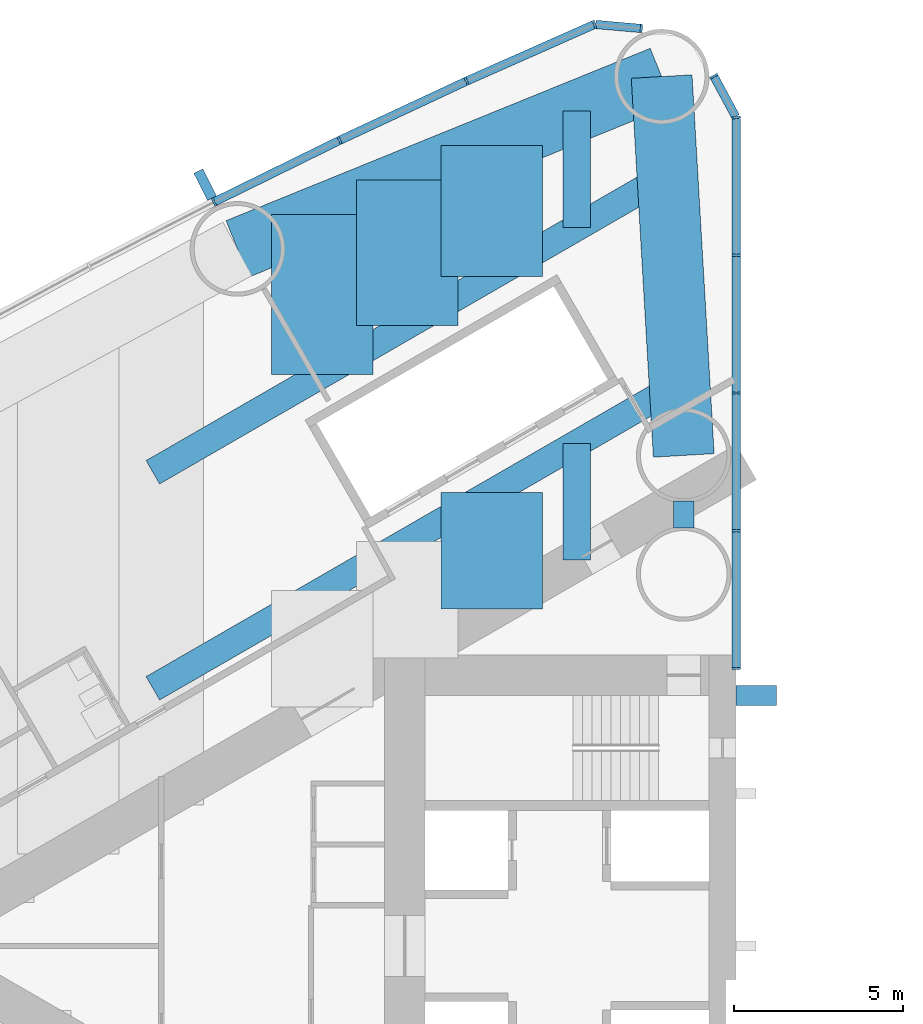
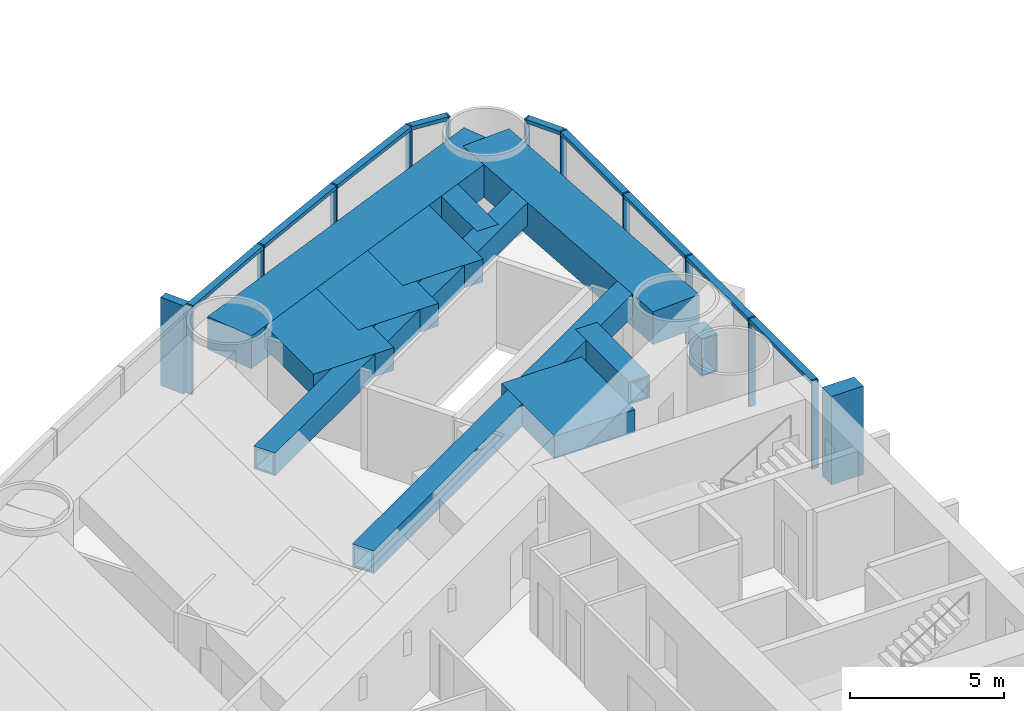
# One storey, part 5 of 19: 22 members, 11 beams, 2 elements without a shape of their own.
"""IFC4 building model written with IfcOpenShell, lengths in metres."""

from ifc_helpers import new_model, si_unit, direction, frame, origin, origin_2d, place, context, subcontext, project, spatial, rectangle, hollow_rectangle, extrude, material, material_profile, profile_set, type_object, element, aggregate, save


model = new_model("IFC4")

# Units and contexts
model_context = context("Model", 3, precision=1e-05, world=origin(), true_north=direction((0.0, 1.0)))
body_context = subcontext(model_context, "Body", "Model", "MODEL_VIEW")
ifc_project = project(units=[si_unit("LENGTHUNIT", "METRE"), si_unit("AREAUNIT", "SQUARE_METRE"), si_unit("VOLUMEUNIT", "CUBIC_METRE"), si_unit("PLANEANGLEUNIT", "RADIAN"), si_unit("MASSUNIT", "GRAM", prefix="KILO")], contexts=[model_context])

# Site, building, storey
site_placement = place(None, origin())
site = spatial("IfcSite", under=ifc_project, at=site_placement, CompositionType="ELEMENT")
building_placement = place(site_placement, origin())
building = spatial("IfcBuilding", under=site, at=building_placement, Name="Lancet Gate Hotel", CompositionType="ELEMENT")
storey_placement = place(building_placement, frame((0.0, 0.0, 18.0)))
storey = spatial("IfcBuildingStorey", under=building, at=storey_placement, Name="L03", CompositionType="ELEMENT", Elevation=18.0)

# Curtain wall, members
ifc_material_1 = material(Name="Aluminium curtain wall", Category="aluminium")
curtain_wall_type = type_object("IfcCurtainWallType", Name="Tower unitised curtain wall", PredefinedType="USERDEFINED", material=ifc_material_1)
curtain_wall_1_placement = place(storey_placement, origin())
curtain_wall_1 = element("IfcCurtainWall", 1, at=curtain_wall_1_placement, inside=storey, type_object=curtain_wall_type, Name="T1 L03 curtain wall 1", ObjectType="UNITISED CURTAIN WALL", PredefinedType="USERDEFINED")
ifc_material_2 = material(Name="Aluminium mullion", Category="aluminium")
ifc_material_profile_1 = material_profile(ifc_material_2, rectangle(XDim=0.06494140625, YDim=0.25, at=origin_2d()), Name="MULLION 65x250")
ifc_profile_set_1 = profile_set([ifc_material_profile_1], Name="Aluminium mullion")
member_type_1 = type_object("IfcMemberType", Name="Aluminium mullion 65x250", PredefinedType="MULLION", material=ifc_profile_set_1)
member_1_placement = place(storey_placement, frame((-27.5, 8.199951171875, 0.0), z_axis=(0.0, 0.0, 1.0), x_axis=(0.0, 1.0, 0.0)))
member_1 = element("IfcMember", 2, at=member_1_placement, type_object=member_type_1, Name="T1 L03 curtain wall 1 mullion 1", PredefinedType="MULLION", context=body_context, shape_type="SweptSolid", body=[
    extrude(rectangle(XDim=0.06494140625, YDim=0.25, at=origin_2d()), origin(), (0.0, 0.0, 1.0), 3.5),
])
member_2_placement = place(storey_placement, frame((-27.5, 12.272705078125, 0.0), z_axis=(0.0, 0.0, 1.0), x_axis=(0.0, 1.0, 0.0)))
member_2 = element("IfcMember", 3, at=member_2_placement, type_object=member_type_1, Name="T1 L03 curtain wall 1 mullion 2", PredefinedType="MULLION", context=body_context, shape_type="SweptSolid", body=[
    extrude(rectangle(XDim=0.06494140625, YDim=0.25, at=origin_2d()), origin(), (0.0, 0.0, 1.0), 3.5),
])
member_3_placement = place(storey_placement, frame((-27.5, 16.345703125, 0.0), z_axis=(0.0, 0.0, 1.0), x_axis=(0.0, 1.0, 0.0)))
member_3 = element("IfcMember", 4, at=member_3_placement, type_object=member_type_1, Name="T1 L03 curtain wall 1 mullion 3", PredefinedType="MULLION", context=body_context, shape_type="SweptSolid", body=[
    extrude(rectangle(XDim=0.06494140625, YDim=0.25, at=origin_2d()), origin(), (0.0, 0.0, 1.0), 3.5),
])
member_4_placement = place(storey_placement, frame((-27.5, 20.41845703125, 0.0), z_axis=(0.0, 0.0, 1.0), x_axis=(0.0, 1.0, 0.0)))
member_4 = element("IfcMember", 5, at=member_4_placement, type_object=member_type_1, Name="T1 L03 curtain wall 1 mullion 4", PredefinedType="MULLION", context=body_context, shape_type="SweptSolid", body=[
    extrude(rectangle(XDim=0.06494140625, YDim=0.25, at=origin_2d()), origin(), (0.0, 0.0, 1.0), 3.5),
])
member_5_placement = place(storey_placement, frame((-27.5, 24.4912109375, 0.0), z_axis=(0.0, 0.0, 1.0), x_axis=(-0.123482502544, 0.992346749662, 0.0)))
member_5 = element("IfcMember", 6, at=member_5_placement, type_object=member_type_1, Name="T1 L03 curtain wall 1 mullion 5", PredefinedType="MULLION", context=body_context, shape_type="SweptSolid", body=[
    extrude(rectangle(XDim=0.06494140625, YDim=0.25, at=origin_2d()), origin(), (0.0, 0.0, 1.0), 3.5),
])
member_6_placement = place(storey_placement, frame((-28.158935546875, 25.712890625, 0.0), z_axis=(0.0, 0.0, 1.0), x_axis=(-0.474631040972, 0.880184852714, 0.0)))
member_6 = element("IfcMember", 7, at=member_6_placement, type_object=member_type_1, Name="T1 L03 curtain wall 1 mullion 6", PredefinedType="MULLION", context=body_context, shape_type="SweptSolid", body=[
    extrude(rectangle(XDim=0.06494140625, YDim=0.25, at=origin_2d()), origin(), (0.0, 0.0, 1.0), 3.5),
])

curtain_wall_2_placement = place(storey_placement, origin())
curtain_wall_2 = element("IfcCurtainWall", 8, at=curtain_wall_2_placement, inside=storey, type_object=curtain_wall_type, Name="T1 L03 curtain wall 2", ObjectType="UNITISED CURTAIN WALL", PredefinedType="USERDEFINED")
member_7_placement = place(storey_placement, frame((-30.3046875, 27.124755859375, 0.0), z_axis=(0.0, 0.0, 1.0), x_axis=(-0.99620380374, 0.087051602022, 0.0)))
member_7 = element("IfcMember", 9, at=member_7_placement, type_object=member_type_1, Name="T1 L03 curtain wall 2 mullion 1", PredefinedType="MULLION", context=body_context, shape_type="SweptSolid", body=[
    extrude(rectangle(XDim=0.06494140625, YDim=0.25, at=origin_2d()), origin(), (0.0, 0.0, 1.0), 3.5),
])
member_8_placement = place(storey_placement, frame((-31.688720703125, 27.24560546875, 0.0), z_axis=(0.0, 0.0, 1.0), x_axis=(-0.957524354695, -0.288352406209, 0.0)))
member_8 = element("IfcMember", 10, at=member_8_placement, type_object=member_type_1, Name="T1 L03 curtain wall 2 mullion 2", PredefinedType="MULLION", context=body_context, shape_type="SweptSolid", body=[
    extrude(rectangle(XDim=0.06494140625, YDim=0.25, at=origin_2d()), origin(), (0.0, 0.0, 1.0), 3.5),
])
member_9_placement = place(storey_placement, frame((-35.473876953125, 25.568115234375, 0.0), z_axis=(0.0, 0.0, 1.0), x_axis=(-0.910219680212, -0.414125746308, 0.0)))
member_9 = element("IfcMember", 11, at=member_9_placement, type_object=member_type_1, Name="T1 L03 curtain wall 2 mullion 3", PredefinedType="MULLION", context=body_context, shape_type="SweptSolid", body=[
    extrude(rectangle(XDim=0.06494140625, YDim=0.25, at=origin_2d()), origin(), (0.0, 0.0, 1.0), 3.5),
])
member_10_placement = place(storey_placement, frame((-39.225341796875, 23.816650390625, 0.0), z_axis=(0.0, 0.0, 1.0), x_axis=(-0.901928838337, -0.431884672772, 0.0)))
member_10 = element("IfcMember", 12, at=member_10_placement, type_object=member_type_1, Name="T1 L03 curtain wall 2 mullion 4", PredefinedType="MULLION", context=body_context, shape_type="SweptSolid", body=[
    extrude(rectangle(XDim=0.06494140625, YDim=0.25, at=origin_2d()), origin(), (0.0, 0.0, 1.0), 3.5),
])
member_11_placement = place(storey_placement, frame((-42.94189453125, 21.991943359375, 0.0), z_axis=(0.0, 0.0, 1.0), x_axis=(-0.893291549794, -0.449477704748, 0.0)))
member_11 = element("IfcMember", 13, at=member_11_placement, type_object=member_type_1, Name="T1 L03 curtain wall 2 mullion 5", PredefinedType="MULLION", context=body_context, shape_type="SweptSolid", body=[
    extrude(rectangle(XDim=0.06494140625, YDim=0.25, at=origin_2d()), origin(), (0.0, 0.0, 1.0), 3.5),
])

# Member
ifc_material_3 = material(Name="Aluminium transom", Category="aluminium")
ifc_material_profile_2 = material_profile(ifc_material_3, rectangle(XDim=0.25, YDim=0.14990234375, at=origin_2d()), Name="TRANSOM 250x150")
ifc_profile_set_2 = profile_set([ifc_material_profile_2], Name="Aluminium transom")
member_type_2 = type_object("IfcMemberType", Name="Aluminium transom 250x150", PredefinedType="USERDEFINED", material=ifc_profile_set_2)
member_12_placement = place(storey_placement, frame((-27.5, 8.232421875, 3.425048828125), z_axis=(0.0, 1.0, 0.0), x_axis=(-1.0, 0.0, 0.0)))
member_12 = element("IfcMember", 14, at=member_12_placement, type_object=member_type_2, Name="T1 L03 curtain wall 1 transom 1", ObjectType="TRANSOM", PredefinedType="USERDEFINED", context=body_context, shape_type="SweptSolid", body=[
    extrude(rectangle(XDim=0.25, YDim=0.14990234375, at=origin_2d()), origin(), (0.0, 0.0, 1.0), 4.0078125),
])

member_13_placement = place(storey_placement, frame((-27.5, 12.30517578125, 3.425048828125), z_axis=(0.0, 1.0, 0.0), x_axis=(-1.0, 0.0, 0.0)))
member_13 = element("IfcMember", 15, at=member_13_placement, type_object=member_type_2, Name="T1 L03 curtain wall 1 transom 2", ObjectType="TRANSOM", PredefinedType="USERDEFINED", context=body_context, shape_type="SweptSolid", body=[
    extrude(rectangle(XDim=0.25, YDim=0.14990234375, at=origin_2d()), origin(), (0.0, 0.0, 1.0), 4.0078125),
])

member_14_placement = place(storey_placement, frame((-27.5, 16.378173828125, 3.425048828125), z_axis=(0.0, 1.0, 0.0), x_axis=(-1.0, 0.0, 0.0)))
member_14 = element("IfcMember", 16, at=member_14_placement, type_object=member_type_2, Name="T1 L03 curtain wall 1 transom 3", ObjectType="TRANSOM", PredefinedType="USERDEFINED", context=body_context, shape_type="SweptSolid", body=[
    extrude(rectangle(XDim=0.25, YDim=0.14990234375, at=origin_2d()), origin(), (0.0, 0.0, 1.0), 4.0078125),
])

member_15_placement = place(storey_placement, frame((-27.5, 20.450927734375, 3.425048828125), z_axis=(0.0, 1.0, 0.0), x_axis=(-1.0, 0.0, 0.0)))
member_15 = element("IfcMember", 17, at=member_15_placement, type_object=member_type_2, Name="T1 L03 curtain wall 1 transom 4", ObjectType="TRANSOM", PredefinedType="USERDEFINED", context=body_context, shape_type="SweptSolid", body=[
    extrude(rectangle(XDim=0.25, YDim=0.14990234375, at=origin_2d()), origin(), (0.0, 0.0, 1.0), 4.0078125),
])

member_16_placement = place(storey_placement, frame((-27.515380859375, 24.519775390625, 3.425048828125), z_axis=(-0.474605926905, 0.880198394765, 0.0), x_axis=(-0.880198394765, -0.474605926905, 0.0)))
member_16 = element("IfcMember", 18, at=member_16_placement, type_object=member_type_2, Name="T1 L03 curtain wall 1 transom 5", ObjectType="TRANSOM", PredefinedType="USERDEFINED", context=body_context, shape_type="SweptSolid", body=[
    extrude(rectangle(XDim=0.25, YDim=0.14990234375, at=origin_2d()), origin(), (0.0, 0.0, 1.0), 1.322998046875),
])

aggregate(curtain_wall_1, [member_1, member_2, member_3, member_4, member_5, member_6, member_12, member_13, member_14, member_15, member_16])

member_17_placement = place(storey_placement, frame((-30.337158203125, 27.127685546875, 3.425048828125), z_axis=(-0.99620591587, 0.087027427779, 0.0), x_axis=(-0.087027427779, -0.99620591587, 0.0)))
member_17 = element("IfcMember", 19, at=member_17_placement, type_object=member_type_2, Name="T1 L03 curtain wall 2 transom 1", ObjectType="TRANSOM", PredefinedType="USERDEFINED", context=body_context, shape_type="SweptSolid", body=[
    extrude(rectangle(XDim=0.25, YDim=0.14990234375, at=origin_2d()), origin(), (0.0, 0.0, 1.0), 1.32421875),
])

member_18_placement = place(storey_placement, frame((-31.71826171875, 27.232421875, 3.425048828125), z_axis=(-0.914248281954, -0.405154389022, 0.0), x_axis=(0.405154389022, -0.914248281954, 0.0)))
member_18 = element("IfcMember", 20, at=member_18_placement, type_object=member_type_2, Name="T1 L03 curtain wall 2 transom 2", ObjectType="TRANSOM", PredefinedType="USERDEFINED", context=body_context, shape_type="SweptSolid", body=[
    extrude(rectangle(XDim=0.25, YDim=0.14990234375, at=origin_2d()), origin(), (0.0, 0.0, 1.0), 4.0751953125),
])

member_19_placement = place(storey_placement, frame((-35.503173828125, 25.554443359375, 3.425048828125), z_axis=(-0.906109667261, -0.423042871228, 0.0), x_axis=(0.423042871228, -0.906109667261, 0.0)))
member_19 = element("IfcMember", 21, at=member_19_placement, type_object=member_type_2, Name="T1 L03 curtain wall 2 transom 3", ObjectType="TRANSOM", PredefinedType="USERDEFINED", context=body_context, shape_type="SweptSolid", body=[
    extrude(rectangle(XDim=0.25, YDim=0.14990234375, at=origin_2d()), origin(), (0.0, 0.0, 1.0), 4.075439453125),
])

member_20_placement = place(storey_placement, frame((-39.254638671875, 23.80224609375, 3.425048828125), z_axis=(-0.897662439958, -0.440683723194, 0.0), x_axis=(0.440683723194, -0.897662439958, 0.0)))
member_20 = element("IfcMember", 22, at=member_20_placement, type_object=member_type_2, Name="T1 L03 curtain wall 2 transom 4", ObjectType="TRANSOM", PredefinedType="USERDEFINED", context=body_context, shape_type="SweptSolid", body=[
    extrude(rectangle(XDim=0.25, YDim=0.14990234375, at=origin_2d()), origin(), (0.0, 0.0, 1.0), 4.0751953125),
])

# Beams
ifc_material_4 = material(Name="Concrete C50/60", Category="concrete")
ifc_material_profile_3 = material_profile(ifc_material_4, rectangle(XDim=1.800048828125, YDim=1.300048828125, at=origin_2d()), Name="RC 1800x1300")
ifc_profile_set_3 = profile_set([ifc_material_profile_3], Name="Concrete C50/60")
beam_type_1 = type_object("IfcBeamType", Name="Edge beam RC 1800x1300", PredefinedType="SPANDREL", material=ifc_profile_set_3)
beam_1_placement = place(storey_placement, frame((-29.703369140625, 25.70263671875, 2.60009765625), z_axis=(-0.926463236197, -0.376385270667, 0.0), x_axis=(0.376385270667, -0.926463236197, 0.0)))
element("IfcBeam", 23, at=beam_1_placement, inside=storey, type_object=beam_type_1, Name="T1 edge beam EB1 L03", PredefinedType="SPANDREL", context=body_context, shape_type="SweptSolid", body=[
    extrude(rectangle(XDim=1.800048828125, YDim=1.300048828125, at=origin_2d()), origin(), (0.0, 0.0, 1.0), 13.537353515625),
])
beam_2_placement = place(storey_placement, frame((-29.703369140625, 25.70263671875, 2.60009765625), z_axis=(0.058219521912, -0.998303805096, 0.0), x_axis=(0.998303805096, 0.058219521912, 0.0)))
element("IfcBeam", 24, at=beam_2_placement, inside=storey, type_object=beam_type_1, Name="T1 edge beam EB1 L03", PredefinedType="SPANDREL", context=body_context, shape_type="SweptSolid", body=[
    extrude(rectangle(XDim=1.800048828125, YDim=1.300048828125, at=origin_2d()), origin(), (0.0, 0.0, 1.0), 11.2216796875),
])

# Member
ifc_material_5 = material(Name="Concrete C60/75", Category="concrete")
ifc_material_profile_4 = material_profile(ifc_material_5, rectangle(XDim=0.60009765625, YDim=1.199951171875, at=origin_2d()), Name="FIN 600x1200")
ifc_profile_set_4 = profile_set([ifc_material_profile_4], Name="Concrete C60/75")
member_type_3 = type_object("IfcMemberType", Name="Exposed concrete buttress pilaster 600x1200", PredefinedType="USERDEFINED", material=ifc_profile_set_4)
member_21_placement = place(storey_placement, frame((-26.909912109375, 7.39990234375, 0.0), z_axis=(0.0, 0.0, 1.0), x_axis=(0.0, 1.0, 0.0)))
element("IfcMember", 25, at=member_21_placement, inside=storey, type_object=member_type_3, Name="T1 buttress pilaster S L03", ObjectType="FIN", PredefinedType="USERDEFINED", context=body_context, shape_type="SweptSolid", body=[
    extrude(rectangle(XDim=0.60009765625, YDim=1.199951171875, at=origin_2d()), origin(), (0.0, 0.0, 1.0), 3.5),
])

ifc_material_6 = material(Name="Precast concrete C50/60", Category="concrete")
ifc_material_profile_5 = material_profile(ifc_material_6, rectangle(XDim=0.300048828125, YDim=0.89990234375, at=origin_2d()), Name="FIN 300x900")
ifc_profile_set_5 = profile_set([ifc_material_profile_5], Name="Precast concrete C50/60")
member_type_4 = type_object("IfcMemberType", Name="Exposed concrete fin 300x900", PredefinedType="USERDEFINED", material=ifc_profile_set_5)
member_22_placement = place(storey_placement, frame((-43.200439453125, 22.505615234375, 0.0), z_axis=(0.0, 0.0, 1.0), x_axis=(-0.893291549794, -0.449477704748, 0.0)))
member_22 = element("IfcMember", 26, at=member_22_placement, type_object=member_type_4, Name="T1 L03 curtain wall 2 fin 5", ObjectType="FIN", PredefinedType="USERDEFINED", context=body_context, shape_type="SweptSolid", body=[
    extrude(rectangle(XDim=0.300048828125, YDim=0.89990234375, at=origin_2d()), origin(), (0.0, 0.0, 1.0), 3.5),
])

aggregate(curtain_wall_2, [member_7, member_8, member_9, member_10, member_11, member_22, member_17, member_18, member_19, member_20])

# Beams
ifc_material_7 = material(Name="Steel S460QL", Category="steel")
ifc_material_profile_6 = material_profile(ifc_material_7, hollow_rectangle(XDim=0.800048828125, YDim=0.89990234375, WallThickness=0.080078125, at=origin_2d()), Name="BOX 900x800x80")
ifc_profile_set_6 = profile_set([ifc_material_profile_6], Name="Steel S460QL")
beam_type_2 = type_object("IfcBeamType", Name="Floor beam BOX 900x800x80", PredefinedType="BEAM", material=ifc_profile_set_6)
beam_3_placement = place(storey_placement, frame((-32.213623046875, 24.682861328125, 2.800048828125), z_axis=(0.0, -1.0, 0.0), x_axis=(1.0, 0.0, 0.0)))
element("IfcBeam", 27, at=beam_3_placement, inside=storey, type_object=beam_type_2, Name="T1 floor beam F02SA L03", PredefinedType="BEAM", context=body_context, shape_type="SweptSolid", body=[
    extrude(hollow_rectangle(XDim=0.800048828125, YDim=0.89990234375, WallThickness=0.080078125, at=origin_2d()), origin(), (0.0, 0.0, 1.0), 3.44384765625),
])
beam_4_placement = place(storey_placement, frame((-32.213623046875, 14.85107421875, 2.800048828125), z_axis=(0.0, -1.0, 0.0), x_axis=(1.0, 0.0, 0.0)))
element("IfcBeam", 28, at=beam_4_placement, inside=storey, type_object=beam_type_2, Name="T1 floor beam F02SB L03", PredefinedType="BEAM", context=body_context, shape_type="SweptSolid", body=[
    extrude(hollow_rectangle(XDim=0.800048828125, YDim=0.89990234375, WallThickness=0.080078125, at=origin_2d()), origin(), (0.0, 0.0, 1.0), 3.44580078125),
])
ifc_material_8 = material(Name="Concrete C50/60", Category="concrete")
ifc_material_profile_7 = material_profile(ifc_material_8, rectangle(XDim=3.0, YDim=0.89990234375, at=origin_2d()), Name="RC 3000x900")
ifc_profile_set_7 = profile_set([ifc_material_profile_7], Name="Concrete C50/60")
beam_type_3 = type_object("IfcBeamType", Name="Floor beam RC 3000x900", PredefinedType="BEAM", material=ifc_profile_set_7)
beam_5_placement = place(storey_placement, frame((-34.720458984375, 23.664306640625, 2.800048828125), z_axis=(0.0, -1.0, 0.0), x_axis=(1.0, 0.0, 0.0)))
element("IfcBeam", 29, at=beam_5_placement, inside=storey, type_object=beam_type_3, Name="T1 floor beam F04SA L03", PredefinedType="BEAM", context=body_context, shape_type="SweptSolid", body=[
    extrude(rectangle(XDim=3.0, YDim=0.89990234375, at=origin_2d()), origin(), (0.0, 0.0, 1.0), 3.872802734375),
])
beam_6_placement = place(storey_placement, frame((-34.720458984375, 13.403564453125, 2.800048828125), z_axis=(0.0, -1.0, 0.0), x_axis=(1.0, 0.0, 0.0)))
element("IfcBeam", 30, at=beam_6_placement, inside=storey, type_object=beam_type_3, Name="T1 floor beam F04SB L03", PredefinedType="BEAM", context=body_context, shape_type="SweptSolid", body=[
    extrude(rectangle(XDim=3.0, YDim=0.89990234375, at=origin_2d()), origin(), (0.0, 0.0, 1.0), 3.445556640625),
])
beam_7_placement = place(storey_placement, frame((-37.227294921875, 22.64599609375, 2.800048828125), z_axis=(0.0, -1.0, 0.0), x_axis=(1.0, 0.0, 0.0)))
element("IfcBeam", 31, at=beam_7_placement, inside=storey, type_object=beam_type_3, Name="T1 floor beam F05SA L03", PredefinedType="BEAM", context=body_context, shape_type="SweptSolid", body=[
    extrude(rectangle(XDim=3.0, YDim=0.89990234375, at=origin_2d()), origin(), (0.0, 0.0, 1.0), 4.3017578125),
])
beam_8_placement = place(storey_placement, frame((-39.734130859375, 21.627685546875, 2.800048828125), z_axis=(0.0, -1.0, 0.0), x_axis=(1.0, 0.0, 0.0)))
element("IfcBeam", 32, at=beam_8_placement, inside=storey, type_object=beam_type_3, Name="T1 floor beam F07SA L03", PredefinedType="BEAM", context=body_context, shape_type="SweptSolid", body=[
    extrude(rectangle(XDim=3.0, YDim=0.89990234375, at=origin_2d()), origin(), (0.0, 0.0, 1.0), 4.73095703125),
])
ifc_material_9 = material(Name="Steel S460QL", Category="steel")
ifc_material_profile_8 = material_profile(ifc_material_9, hollow_rectangle(XDim=0.60009765625, YDim=1.5, WallThickness=0.050048828125, at=origin_2d()), Name="BOX 1500x600x50")
ifc_profile_set_8 = profile_set([ifc_material_profile_8], Name="Steel S460QL")
beam_type_4 = type_object("IfcBeamType", Name="Inner-face link beam BOX 1500x600x50", PredefinedType="BEAM", material=ifc_profile_set_8)
beam_9_placement = place(storey_placement, frame((-29.050048828125, 13.14990234375, 2.5), z_axis=(0.0, -1.0, 0.0), x_axis=(1.0, 0.0, 0.0)))
element("IfcBeam", 33, at=beam_9_placement, inside=storey, type_object=beam_type_4, Name="T1 inner-face link beam LK1 L03", PredefinedType="BEAM", context=body_context, shape_type="SweptSolid", body=[
    extrude(hollow_rectangle(XDim=0.60009765625, YDim=1.5, WallThickness=0.050048828125, at=origin_2d()), origin(), (0.0, 0.0, 1.0), 0.7998046875),
])
ifc_material_10 = material(Name="Steel S460QL", Category="steel")
ifc_material_profile_9 = material_profile(ifc_material_10, hollow_rectangle(XDim=0.800048828125, YDim=0.89990234375, WallThickness=0.080078125, at=origin_2d()), Name="BOX 900x800x80")
ifc_profile_set_9 = profile_set([ifc_material_profile_9], Name="Steel S460QL")
beam_type_5 = type_object("IfcBeamType", Name="Trimmer beam BOX 900x800x80", PredefinedType="BEAM", material=ifc_profile_set_9)
beam_10_placement = place(storey_placement, frame((-29.1728515625, 16.60693359375, 2.800048828125), z_axis=(-0.866002245839, -0.500040108593, 0.0), x_axis=(0.500040108593, -0.866002245839, 0.0)))
element("IfcBeam", 34, at=beam_10_placement, inside=storey, type_object=beam_type_5, Name="T1 trimmer beam TR01S L03", PredefinedType="BEAM", context=body_context, shape_type="SweptSolid", body=[
    extrude(hollow_rectangle(XDim=0.800048828125, YDim=0.89990234375, WallThickness=0.080078125, at=origin_2d()), origin(), (0.0, 0.0, 1.0), 17.98486328125),
])
beam_11_placement = place(storey_placement, frame((-29.533203125, 22.786865234375, 2.800048828125), z_axis=(-0.866000680387, -0.500042819735, 0.0), x_axis=(0.500042819735, -0.866000680387, 0.0)))
element("IfcBeam", 35, at=beam_11_placement, inside=storey, type_object=beam_type_5, Name="T1 trimmer beam TR02S L03", PredefinedType="BEAM", context=body_context, shape_type="SweptSolid", body=[
    extrude(hollow_rectangle(XDim=0.800048828125, YDim=0.89990234375, WallThickness=0.080078125, at=origin_2d()), origin(), (0.0, 0.0, 1.0), 17.56884765625),
])

save(model, "model.ifc")
